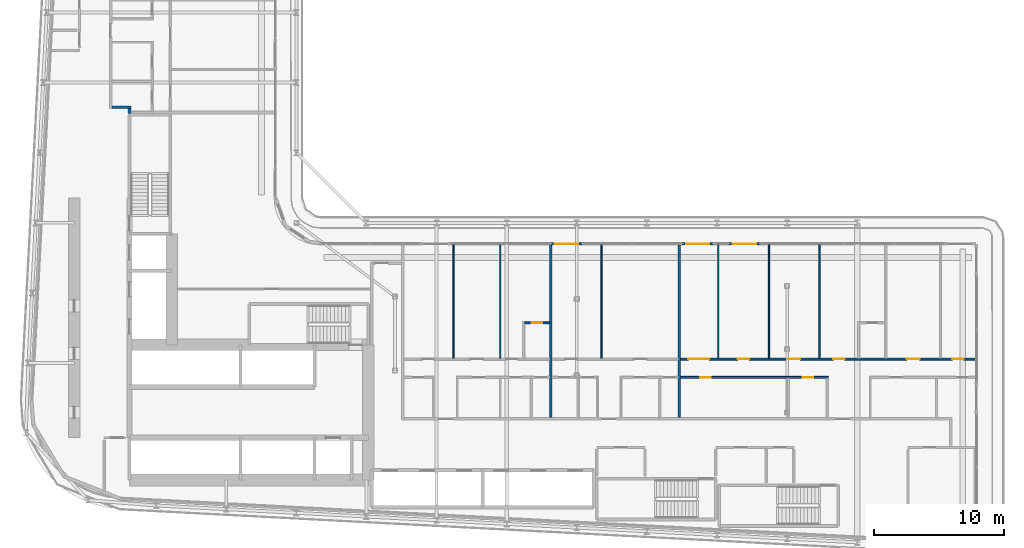
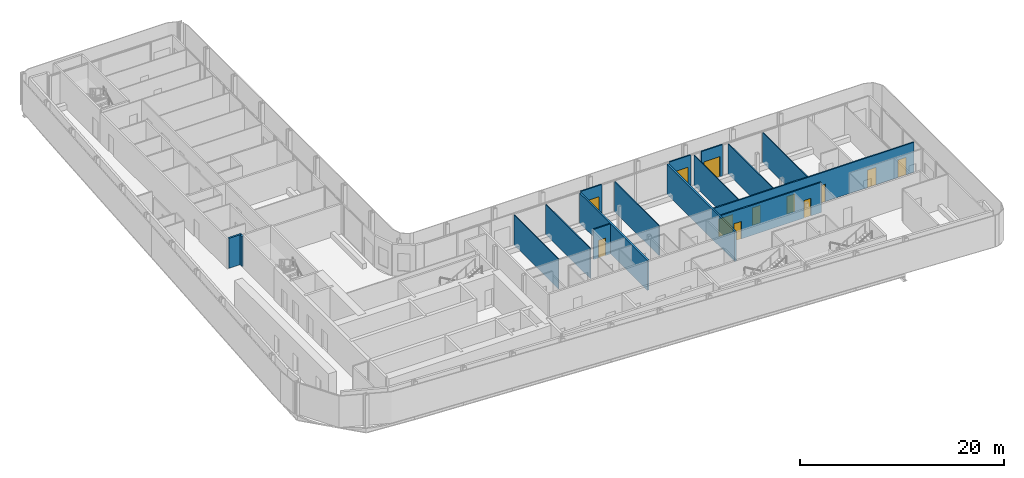
# One storey, part 16 of 27: 16 walls, 12 doors, 12 openings.
"""IFC4 building model written with IfcOpenShell, lengths in metres."""

from ifc_helpers import new_model, si_unit, direction, frame, frame_2d, origin, place, context, subcontext, project, spatial, rectangle, extrude, source, transform, mapped, material, layer, layer_set, type_object, element, fill, save


model = new_model("IFC4")

# Units and contexts
model_context = context("Model", 3, precision=1e-05, world=origin(), true_north=direction((0.0, 1.0)))
body_context = subcontext(model_context, "Body", "Model", "MODEL_VIEW")
ifc_project = project(units=[si_unit("LENGTHUNIT", "METRE"), si_unit("AREAUNIT", "SQUARE_METRE"), si_unit("VOLUMEUNIT", "CUBIC_METRE"), si_unit("PLANEANGLEUNIT", "RADIAN"), si_unit("MASSUNIT", "GRAM", prefix="KILO")], contexts=[model_context])

# Site, building, storey
site_placement = place(None, origin())
site = spatial("IfcSite", under=ifc_project, at=site_placement, CompositionType="ELEMENT")
building_placement = place(site_placement, origin())
building = spatial("IfcBuilding", under=site, at=building_placement, Name="Kheshtan School and Residences Tower", CompositionType="ELEMENT")
storey_placement = place(building_placement, frame((0.0, 0.0, 98.0)))
storey = spatial("IfcBuildingStorey", under=building, at=storey_placement, Name="L22", CompositionType="ELEMENT", Elevation=98.0)

# Walls
ifc_material_1 = material(Name="Gypsum board on steel studs with fire boards", Category="steel")
ifc_layer_1 = layer(ifc_material_1, 0.199951171875)
ifc_layer_set_1 = layer_set([ifc_layer_1], Name="Corridor wall 200")
wall_type_1 = type_object("IfcWallType", Name="Corridor wall 200", PredefinedType="PARTITIONING", material=ifc_layer_set_1)
wall_1_placement = place(storey_placement, frame((33.39990234375, 54.5, 0.0), z_axis=(0.0, 0.0, 1.0), x_axis=(1.0, 0.0, 0.0)))
element("IfcWall", 1, at=wall_1_placement, inside=storey, type_object=wall_type_1, Name="Partition L22-002", PredefinedType="PARTITIONING", context=body_context, shape_type="SweptSolid", body=[
    extrude(rectangle(XDim=1.4501953125, YDim=0.199951171875, at=frame_2d((0.72509765625, 0.0))), origin(), (0.0, 0.0, 1.0), 3.60009765625),
])
wall_2_placement = place(storey_placement, frame((34.75, 54.02490234375, 0.0), z_axis=(0.0, 0.0, 1.0), x_axis=(0.0, 1.0, 0.0)))
element("IfcWall", 2, at=wall_2_placement, inside=storey, type_object=wall_type_1, Name="Partition L22-012", PredefinedType="PARTITIONING", context=body_context, shape_type="SweptSolid", body=[
    extrude(rectangle(XDim=0.375, YDim=0.199951171875, at=frame_2d((0.1875, 0.0))), origin(), (0.0, 0.0, 1.0), 3.60009765625),
])

# Wall, opening, door
ifc_material_2 = material(Name="Aluminium frame wall with insulated infill", Category="aluminium")
ifc_layer_2 = layer(ifc_material_2, 0.14990234375)
ifc_layer_set_2 = layer_set([ifc_layer_2], Name="Glazing frame wall 150")
wall_type_2 = type_object("IfcWallType", Name="Glazing frame wall 150", PredefinedType="SOLIDWALL", material=ifc_layer_set_2)
wall_3_placement = place(storey_placement, frame((67.218017578125, 43.97509765625, 0.0), z_axis=(0.0, 0.0, 1.0), x_axis=(1.0, 0.0, 0.0)))
wall_3 = element("IfcWall", 3, at=wall_3_placement, inside=storey, type_object=wall_type_2, Name="Balcony door wall L22 8.2", PredefinedType="SOLIDWALL", context=body_context, shape_type="SweptSolid", body=[
    extrude(rectangle(XDim=2.39990234375, YDim=0.14990234375, at=frame_2d((1.199951171875, 0.0))), origin(), (0.0, 0.0, 1.0), 3.75),
])
opening_1_placement = place(wall_3_placement, frame((0.300048828125, 0.0, 0.0)))
opening_1 = element("IfcOpeningElement", 4, at=opening_1_placement, cuts=wall_3, Name="Opening BD", PredefinedType="OPENING", context=body_context, shape_type="SweptSolid", body=[
    extrude(rectangle(XDim=1.800048828125, YDim=2.39990234375, at=frame_2d((0.89990234375, 1.199951171875))), frame((0.0, 0.0849609375, 0.0), z_axis=(0.0, -1.0, 0.0), x_axis=(1.0, 0.0, 0.0)), (0.0, 0.0, 1.0), 0.169921875),
])
ifc_material_3 = material(Name="Clear low-e glass in thermally broken aluminium frame", Category="aluminium")
door_type_1 = type_object("IfcDoorType", Name="Balcony sliding door", OperationType="SLIDING_TO_LEFT", PredefinedType="DOOR", material=ifc_material_3)
shared_shape_1 = source(origin(), body_context, "Body", "SweptSolid", [
    extrude(rectangle(XDim=1.800048828125, YDim=2.39990234375, at=frame_2d((0.89990234375, 1.199951171875))), frame((0.0, 0.02490234375, 0.0), z_axis=(0.0, -1.0, 0.0), x_axis=(1.0, 0.0, 0.0)), (0.0, 0.0, 1.0), 0.050048828125),
])
door_1_placement = place(opening_1_placement, origin())
door_1 = element("IfcDoor", 5, at=door_1_placement, inside=storey, type_object=door_type_1, Name="Balcony door L22 8.2", OperationType="SLIDING_TO_LEFT", OverallHeight=2.39990234375, OverallWidth=1.800048828125, PredefinedType="DOOR", context=body_context, shape_type="MappedRepresentation", body=[
    mapped(shared_shape_1, transform((0.0, 0.0, 0.0), x_axis=(1.0, 0.0, 0.0), y_axis=(0.0, 1.0, 0.0), z_axis=(0.0, 0.0, 1.0), scale=1.0)),
])
fill(opening_1, door_1)

wall_4_placement = place(storey_placement, frame((77.31201171875, 43.97509765625, 0.0), z_axis=(0.0, 0.0, 1.0), x_axis=(1.0, 0.0, 0.0)))
wall_4 = element("IfcWall", 6, at=wall_4_placement, inside=storey, type_object=wall_type_2, Name="Balcony door wall L22 8.3", PredefinedType="SOLIDWALL", context=body_context, shape_type="SweptSolid", body=[
    extrude(rectangle(XDim=2.39990234375, YDim=0.14990234375, at=frame_2d((1.199951171875, 0.0))), origin(), (0.0, 0.0, 1.0), 3.75),
])
opening_2_placement = place(wall_4_placement, frame((0.300048828125, 0.0, 0.0)))
opening_2 = element("IfcOpeningElement", 7, at=opening_2_placement, cuts=wall_4, Name="Opening BD", PredefinedType="OPENING", context=body_context, shape_type="SweptSolid", body=[
    extrude(rectangle(XDim=1.800048828125, YDim=2.39990234375, at=frame_2d((0.89990234375, 1.199951171875))), frame((0.0, 0.0849609375, 0.0), z_axis=(0.0, -1.0, 0.0), x_axis=(1.0, 0.0, 0.0)), (0.0, 0.0, 1.0), 0.169921875),
])
door_2_placement = place(opening_2_placement, origin())
door_2 = element("IfcDoor", 8, at=door_2_placement, inside=storey, type_object=door_type_1, Name="Balcony door L22 8.3", OperationType="SLIDING_TO_LEFT", OverallHeight=2.39990234375, OverallWidth=1.800048828125, PredefinedType="DOOR", context=body_context, shape_type="MappedRepresentation", body=[
    mapped(shared_shape_1, transform((0.0, 0.0, 0.0), x_axis=(1.0, 0.0, 0.0), y_axis=(0.0, 1.0, 0.0), z_axis=(0.0, 0.0, 1.0), scale=1.0)),
])
fill(opening_2, door_2)

wall_5_placement = place(storey_placement, frame((80.912109375, 43.97509765625, 0.0), z_axis=(0.0, 0.0, 1.0), x_axis=(1.0, 0.0, 0.0)))
wall_5 = element("IfcWall", 9, at=wall_5_placement, inside=storey, type_object=wall_type_2, Name="Balcony door wall L22 8.4", PredefinedType="SOLIDWALL", context=body_context, shape_type="SweptSolid", body=[
    extrude(rectangle(XDim=2.39990234375, YDim=0.14990234375, at=frame_2d((1.199951171875, 0.0))), origin(), (0.0, 0.0, 1.0), 3.75),
])
opening_3_placement = place(wall_5_placement, frame((0.300048828125, 0.0, 0.0)))
opening_3 = element("IfcOpeningElement", 10, at=opening_3_placement, cuts=wall_5, Name="Opening BD", PredefinedType="OPENING", context=body_context, shape_type="SweptSolid", body=[
    extrude(rectangle(XDim=1.800048828125, YDim=2.39990234375, at=frame_2d((0.89990234375, 1.199951171875))), frame((0.0, 0.0849609375, 0.0), z_axis=(0.0, -1.0, 0.0), x_axis=(1.0, 0.0, 0.0)), (0.0, 0.0, 1.0), 0.169921875),
])
door_3_placement = place(opening_3_placement, origin())
door_3 = element("IfcDoor", 11, at=door_3_placement, inside=storey, type_object=door_type_1, Name="Balcony door L22 8.4", OperationType="SLIDING_TO_LEFT", OverallHeight=2.39990234375, OverallWidth=1.800048828125, PredefinedType="DOOR", context=body_context, shape_type="MappedRepresentation", body=[
    mapped(shared_shape_1, transform((0.0, 0.0, 0.0), x_axis=(1.0, 0.0, 0.0), y_axis=(0.0, 1.0, 0.0), z_axis=(0.0, 0.0, 1.0), scale=1.0)),
])
fill(opening_3, door_3)

# Walls
ifc_material_4 = material(Name="Gypsum board on steel studs", Category="steel")
ifc_layer_3 = layer(ifc_material_4, 0.10009765625)
ifc_layer_set_3 = layer_set([ifc_layer_3], Name="Gypsum partition 100")
wall_type_3 = type_object("IfcWallType", Name="Gypsum partition 100", PredefinedType="PARTITIONING", material=ifc_layer_set_3)
for number, where, z_axis, x_axis, name in (
    (12, (59.699951171875, 35.175048828125, 0.0), (0.0, 0.0, 1.0), (0.0, 1.0, 0.0), "Partition L22-037"),
    (13, (63.300048828125, 35.175048828125, 0.0), (0.0, 0.0, 1.0), (0.0, 1.0, 0.0), "Partition L22-041"),
    (14, (71.10009765625, 35.175048828125, 0.0), (0.0, 0.0, 1.0), (0.0, 1.0, 0.0), "Partition L22-050"),
    (15, (80.10009765625, 35.175048828125, 0.0), (0.0, 0.0, 1.0), (0.0, 1.0, 0.0), "Partition L22-057"),
    (16, (84.0, 35.175048828125, 0.0), (0.0, 0.0, 1.0), (0.0, 1.0, 0.0), "Partition L22-058"),
    (17, (87.89990234375, 35.175048828125, 0.0), (0.0, 0.0, 1.0), (0.0, 1.0, 0.0), "Partition L22-060"),
):
    element("IfcWall", number, at=place(storey_placement, frame(where, z_axis=z_axis, x_axis=x_axis)), inside=storey, type_object=wall_type_3, Name=name, PredefinedType="PARTITIONING", context=body_context, shape_type="SweptSolid", body=[
        extrude(rectangle(XDim=8.724853515625, YDim=0.10009765625, at=frame_2d((4.3623046875, 0.0))), origin(), (0.0, 0.0, 1.0), 3.60009765625),
    ])
ifc_material_5 = material(Name="Twin gypsum board on steel studs with mineral wool", Category="steel")
ifc_layer_4 = layer(ifc_material_5, 0.199951171875)
ifc_layer_set_4 = layer_set([ifc_layer_4], Name="Unit demising wall 200")
wall_type_4 = type_object("IfcWallType", Name="Unit demising wall 200", PredefinedType="PARTITIONING", material=ifc_layer_set_4)
for number, where, z_axis, x_axis, name in (
    (18, (67.199951171875, 30.60009765625, 0.0), (0.0, 0.0, 1.0), (0.0, 1.0, 0.0), "Partition L22-045"),
    (19, (77.10009765625, 30.60009765625, 0.0), (0.0, 0.0, 1.0), (0.0, 1.0, 0.0), "Partition L22-054"),
):
    element("IfcWall", number, at=place(storey_placement, frame(where, z_axis=z_axis, x_axis=x_axis)), inside=storey, type_object=wall_type_4, Name=name, PredefinedType="PARTITIONING", context=body_context, shape_type="SweptSolid", body=[
        extrude(rectangle(XDim=13.2998046875, YDim=0.199951171875, at=frame_2d((6.64990234375, 0.0))), origin(), (0.0, 0.0, 1.0), 3.60009765625),
    ])

# Wall, opening, door
ifc_material_6 = material(Name="Moisture-resistant gypsum board on steel studs", Category="steel")
ifc_layer_5 = layer(ifc_material_6, 0.14990234375)
ifc_layer_set_5 = layer_set([ifc_layer_5], Name="Wet-room partition 150")
wall_type_5 = type_object("IfcWallType", Name="Wet-room partition 150", PredefinedType="PARTITIONING", material=ifc_layer_set_5)
wall_6_placement = place(storey_placement, frame((65.175048828125, 37.89990234375, 0.0), z_axis=(0.0, 0.0, 1.0), x_axis=(1.0, 0.0, 0.0)))
wall_6 = element("IfcWall", 20, at=wall_6_placement, inside=storey, type_object=wall_type_5, Name="Partition L22-043", PredefinedType="PARTITIONING", context=body_context, shape_type="SweptSolid", body=[
    extrude(rectangle(XDim=1.925048828125, YDim=0.14990234375, at=frame_2d((0.96240234375, 0.0))), origin(), (0.0, 0.0, 1.0), 3.60009765625),
])
opening_4_placement = place(wall_6_placement, frame((0.574951171875, 0.0, 0.0)))
opening_4 = element("IfcOpeningElement", 21, at=opening_4_placement, cuts=wall_6, Name="Opening D21-004", PredefinedType="OPENING", context=body_context, shape_type="SweptSolid", body=[
    extrude(rectangle(XDim=0.800048828125, YDim=2.10009765625, at=frame_2d((0.39990234375, 1.050048828125))), frame((0.0, 0.0849609375, 0.0), z_axis=(0.0, -1.0, 0.0), x_axis=(1.0, 0.0, 0.0)), (0.0, 0.0, 1.0), 0.169921875),
])
ifc_material_7 = material(Name="Veneered timber door leaf", Category="wood")
door_type_2 = type_object("IfcDoorType", Name="Door 800 x 2100", OperationType="SINGLE_SWING_LEFT", PredefinedType="DOOR", material=ifc_material_7)
shared_shape_2 = source(origin(), body_context, "Body", "SweptSolid", [
    extrude(rectangle(XDim=0.800048828125, YDim=2.10009765625, at=frame_2d((0.39990234375, 1.050048828125))), frame((0.0, 0.02490234375, 0.0), z_axis=(0.0, -1.0, 0.0), x_axis=(1.0, 0.0, 0.0)), (0.0, 0.0, 1.0), 0.050048828125),
])
door_4_placement = place(opening_4_placement, origin())
door_4 = element("IfcDoor", 22, at=door_4_placement, inside=storey, type_object=door_type_2, Name="Door D21-004", OperationType="SINGLE_SWING_LEFT", OverallHeight=2.10009765625, OverallWidth=0.800048828125, PredefinedType="DOOR", context=body_context, shape_type="MappedRepresentation", body=[
    mapped(shared_shape_2, transform((0.0, 0.0, 0.0), x_axis=(1.0, 0.0, 0.0), y_axis=(0.0, 1.0, 0.0), z_axis=(0.0, 0.0, 1.0), scale=1.0)),
])
fill(opening_4, door_4)

# Wall, openings, doors
wall_7_placement = place(storey_placement, frame((77.199951171875, 33.699951171875, 0.0), z_axis=(0.0, 0.0, 1.0), x_axis=(1.0, 0.0, 0.0)))
wall_7 = element("IfcWall", 23, at=wall_7_placement, inside=storey, type_object=wall_type_5, Name="Partition L22-055", PredefinedType="PARTITIONING", context=body_context, shape_type="SweptSolid", body=[
    extrude(rectangle(XDim=11.375, YDim=0.14990234375, at=frame_2d((5.6875, 0.0))), origin(), (0.0, 0.0, 1.0), 3.60009765625),
])
opening_5_placement = place(wall_7_placement, frame((9.39990234375, 0.0, 0.0)))
opening_5 = element("IfcOpeningElement", 24, at=opening_5_placement, cuts=wall_7, Name="Opening D21-017", PredefinedType="OPENING", context=body_context, shape_type="SweptSolid", body=[
    extrude(rectangle(XDim=0.800048828125, YDim=2.10009765625, at=frame_2d((0.39990234375, 1.050048828125))), frame((0.0, 0.0849609375, 0.0), z_axis=(0.0, -1.0, 0.0), x_axis=(1.0, 0.0, 0.0)), (0.0, 0.0, 1.0), 0.169921875),
])
opening_6_placement = place(wall_7_placement, frame((1.5, 0.0, 0.0)))
opening_6 = element("IfcOpeningElement", 25, at=opening_6_placement, cuts=wall_7, Name="Opening D21-028", PredefinedType="OPENING", context=body_context, shape_type="SweptSolid", body=[
    extrude(rectangle(XDim=0.800048828125, YDim=2.10009765625, at=frame_2d((0.39990234375, 1.050048828125))), frame((0.0, 0.0849609375, 0.0), z_axis=(0.0, -1.0, 0.0), x_axis=(1.0, 0.0, 0.0)), (0.0, 0.0, 1.0), 0.169921875),
])
door_5_placement = place(opening_5_placement, origin())
door_5 = element("IfcDoor", 26, at=door_5_placement, inside=storey, type_object=door_type_2, Name="Door D21-017", OperationType="SINGLE_SWING_LEFT", OverallHeight=2.10009765625, OverallWidth=0.800048828125, PredefinedType="DOOR", context=body_context, shape_type="MappedRepresentation", body=[
    mapped(shared_shape_2, transform((0.0, 0.0, 0.0), x_axis=(1.0, 0.0, 0.0), y_axis=(0.0, 1.0, 0.0), z_axis=(0.0, 0.0, 1.0), scale=1.0)),
])
fill(opening_5, door_5)
door_6_placement = place(opening_6_placement, origin())
door_6 = element("IfcDoor", 27, at=door_6_placement, inside=storey, type_object=door_type_2, Name="Door D21-028", OperationType="SINGLE_SWING_RIGHT", OverallHeight=2.10009765625, OverallWidth=0.800048828125, PredefinedType="DOOR", context=body_context, shape_type="MappedRepresentation", body=[
    mapped(shared_shape_2, transform((0.0, 0.0, 0.0), x_axis=(1.0, 0.0, 0.0), y_axis=(0.0, 1.0, 0.0), z_axis=(0.0, 0.0, 1.0), scale=1.0)),
])
fill(opening_6, door_6)

wall_8_placement = place(storey_placement, frame((77.199951171875, 35.10009765625, 0.0), z_axis=(0.0, 0.0, 1.0), x_axis=(1.0, 0.0, 0.0)))
wall_8 = element("IfcWall", 28, at=wall_8_placement, inside=storey, type_object=wall_type_5, Name="Partition L22-056", PredefinedType="PARTITIONING", context=body_context, shape_type="SweptSolid", body=[
    extrude(rectangle(XDim=22.699951171875, YDim=0.14990234375, at=frame_2d((11.35009765625, 0.0))), origin(), (0.0, 0.0, 1.0), 3.60009765625),
])
opening_7_placement = place(wall_8_placement, frame((4.39990234375, 0.0, 0.0)))
opening_7 = element("IfcOpeningElement", 29, at=opening_7_placement, cuts=wall_8, Name="Opening D21-019", PredefinedType="OPENING", context=body_context, shape_type="SweptSolid", body=[
    extrude(rectangle(XDim=0.89990234375, YDim=2.10009765625, at=frame_2d((0.449951171875, 1.050048828125))), frame((0.0, 0.0849609375, 0.0), z_axis=(0.0, -1.0, 0.0), x_axis=(1.0, 0.0, 0.0)), (0.0, 0.0, 1.0), 0.169921875),
])
opening_8_placement = place(wall_8_placement, frame((8.300048828125, 0.0, 0.0)))
opening_8 = element("IfcOpeningElement", 30, at=opening_8_placement, cuts=wall_8, Name="Opening D21-020", PredefinedType="OPENING", context=body_context, shape_type="SweptSolid", body=[
    extrude(rectangle(XDim=0.89990234375, YDim=2.10009765625, at=frame_2d((0.449951171875, 1.050048828125))), frame((0.0, 0.0849609375, 0.0), z_axis=(0.0, -1.0, 0.0), x_axis=(1.0, 0.0, 0.0)), (0.0, 0.0, 1.0), 0.169921875),
])
opening_9_placement = place(wall_8_placement, frame((20.89990234375, 0.0, 0.0)))
opening_9 = element("IfcOpeningElement", 31, at=opening_9_placement, cuts=wall_8, Name="Opening D21-021", PredefinedType="OPENING", context=body_context, shape_type="SweptSolid", body=[
    extrude(rectangle(XDim=0.89990234375, YDim=2.10009765625, at=frame_2d((0.449951171875, 1.050048828125))), frame((0.0, 0.0849609375, 0.0), z_axis=(0.0, -1.0, 0.0), x_axis=(1.0, 0.0, 0.0)), (0.0, 0.0, 1.0), 0.169921875),
])
opening_10_placement = place(wall_8_placement, frame((17.39990234375, 0.0, 0.0)))
opening_10 = element("IfcOpeningElement", 32, at=opening_10_placement, cuts=wall_8, Name="Opening D21-025", PredefinedType="OPENING", context=body_context, shape_type="SweptSolid", body=[
    extrude(rectangle(XDim=1.0, YDim=2.10009765625, at=frame_2d((0.5, 1.050048828125))), frame((0.0, 0.0849609375, 0.0), z_axis=(0.0, -1.0, 0.0), x_axis=(1.0, 0.0, 0.0)), (0.0, 0.0, 1.0), 0.169921875),
])
opening_11_placement = place(wall_8_placement, frame((0.60009765625, 0.0, 0.0)))
opening_11 = element("IfcOpeningElement", 33, at=opening_11_placement, cuts=wall_8, Name="Opening D21-026", PredefinedType="OPENING", context=body_context, shape_type="SweptSolid", body=[
    extrude(rectangle(XDim=1.60009765625, YDim=2.10009765625, at=frame_2d((0.800048828125, 1.050048828125))), frame((0.0, 0.0849609375, 0.0), z_axis=(0.0, -1.0, 0.0), x_axis=(1.0, 0.0, 0.0)), (0.0, 0.0, 1.0), 0.169921875),
])
opening_12_placement = place(wall_8_placement, frame((11.75, 0.0, 0.0)))
opening_12 = element("IfcOpeningElement", 34, at=opening_12_placement, cuts=wall_8, Name="Opening D21-027", PredefinedType="OPENING", context=body_context, shape_type="SweptSolid", body=[
    extrude(rectangle(XDim=0.89990234375, YDim=2.10009765625, at=frame_2d((0.449951171875, 1.050048828125))), frame((0.0, 0.0849609375, 0.0), z_axis=(0.0, -1.0, 0.0), x_axis=(1.0, 0.0, 0.0)), (0.0, 0.0, 1.0), 0.169921875),
])
door_type_3 = type_object("IfcDoorType", Name="Door 1000 x 2100", OperationType="SINGLE_SWING_LEFT", PredefinedType="DOOR", material=ifc_material_7)
shared_shape_3 = source(origin(), body_context, "Body", "SweptSolid", [
    extrude(rectangle(XDim=1.0, YDim=2.10009765625, at=frame_2d((0.5, 1.050048828125))), frame((0.0, 0.02490234375, 0.0), z_axis=(0.0, -1.0, 0.0), x_axis=(1.0, 0.0, 0.0)), (0.0, 0.0, 1.0), 0.050048828125),
])
door_7_placement = place(opening_10_placement, origin())
door_7 = element("IfcDoor", 35, at=door_7_placement, inside=storey, type_object=door_type_3, Name="Door D21-025", OperationType="SINGLE_SWING_RIGHT", OverallHeight=2.10009765625, OverallWidth=1.0, PredefinedType="DOOR", context=body_context, shape_type="MappedRepresentation", body=[
    mapped(shared_shape_3, transform((0.0, 0.0, 0.0), x_axis=(1.0, 0.0, 0.0), y_axis=(0.0, 1.0, 0.0), z_axis=(0.0, 0.0, 1.0), scale=1.0)),
])
fill(opening_10, door_7)
door_type_4 = type_object("IfcDoorType", Name="Door 900 x 2100", OperationType="SINGLE_SWING_LEFT", PredefinedType="DOOR", material=ifc_material_7)
shared_shape_4 = source(origin(), body_context, "Body", "SweptSolid", [
    extrude(rectangle(XDim=0.89990234375, YDim=2.10009765625, at=frame_2d((0.449951171875, 1.050048828125))), frame((0.0, 0.02490234375, 0.0), z_axis=(0.0, -1.0, 0.0), x_axis=(1.0, 0.0, 0.0)), (0.0, 0.0, 1.0), 0.050048828125),
])
door_8_placement = place(opening_7_placement, origin())
door_8 = element("IfcDoor", 36, at=door_8_placement, inside=storey, type_object=door_type_4, Name="Door D21-019", OperationType="SINGLE_SWING_RIGHT", OverallHeight=2.10009765625, OverallWidth=0.89990234375, PredefinedType="DOOR", context=body_context, shape_type="MappedRepresentation", body=[
    mapped(shared_shape_4, transform((0.0, 0.0, 0.0), x_axis=(1.0, 0.0, 0.0), y_axis=(0.0, 1.0, 0.0), z_axis=(0.0, 0.0, 1.0), scale=1.0)),
])
fill(opening_7, door_8)
door_9_placement = place(opening_8_placement, origin())
door_9 = element("IfcDoor", 37, at=door_9_placement, inside=storey, type_object=door_type_4, Name="Door D21-020", OperationType="SINGLE_SWING_LEFT", OverallHeight=2.10009765625, OverallWidth=0.89990234375, PredefinedType="DOOR", context=body_context, shape_type="MappedRepresentation", body=[
    mapped(shared_shape_4, transform((0.0, 0.0, 0.0), x_axis=(1.0, 0.0, 0.0), y_axis=(0.0, 1.0, 0.0), z_axis=(0.0, 0.0, 1.0), scale=1.0)),
])
fill(opening_8, door_9)
door_10_placement = place(opening_9_placement, origin())
door_10 = element("IfcDoor", 38, at=door_10_placement, inside=storey, type_object=door_type_4, Name="Door D21-021", OperationType="SINGLE_SWING_LEFT", OverallHeight=2.10009765625, OverallWidth=0.89990234375, PredefinedType="DOOR", context=body_context, shape_type="MappedRepresentation", body=[
    mapped(shared_shape_4, transform((0.0, 0.0, 0.0), x_axis=(1.0, 0.0, 0.0), y_axis=(0.0, 1.0, 0.0), z_axis=(0.0, 0.0, 1.0), scale=1.0)),
])
fill(opening_9, door_10)
door_11_placement = place(opening_12_placement, origin())
door_11 = element("IfcDoor", 39, at=door_11_placement, inside=storey, type_object=door_type_4, Name="Door D21-027", OperationType="SINGLE_SWING_RIGHT", OverallHeight=2.10009765625, OverallWidth=0.89990234375, PredefinedType="DOOR", context=body_context, shape_type="MappedRepresentation", body=[
    mapped(shared_shape_4, transform((0.0, 0.0, 0.0), x_axis=(1.0, 0.0, 0.0), y_axis=(0.0, 1.0, 0.0), z_axis=(0.0, 0.0, 1.0), scale=1.0)),
])
fill(opening_12, door_11)
door_type_5 = type_object("IfcDoorType", Name="Double door 1600 x 2100", OperationType="DOUBLE_DOOR_SINGLE_SWING", PredefinedType="DOOR", material=ifc_material_7)
shared_shape_5 = source(origin(), body_context, "Body", "SweptSolid", [
    extrude(rectangle(XDim=1.60009765625, YDim=2.10009765625, at=frame_2d((0.800048828125, 1.050048828125))), frame((0.0, 0.02490234375, 0.0), z_axis=(0.0, -1.0, 0.0), x_axis=(1.0, 0.0, 0.0)), (0.0, 0.0, 1.0), 0.050048828125),
])
door_12_placement = place(opening_11_placement, origin())
door_12 = element("IfcDoor", 40, at=door_12_placement, inside=storey, type_object=door_type_5, Name="Door D21-026", OperationType="DOUBLE_DOOR_SINGLE_SWING", OverallHeight=2.10009765625, OverallWidth=1.60009765625, PredefinedType="DOOR", context=body_context, shape_type="MappedRepresentation", body=[
    mapped(shared_shape_5, transform((0.0, 0.0, 0.0), x_axis=(1.0, 0.0, 0.0), y_axis=(0.0, 1.0, 0.0), z_axis=(0.0, 0.0, 1.0), scale=1.0)),
])
fill(opening_11, door_12)

save(model, "model.ifc")
